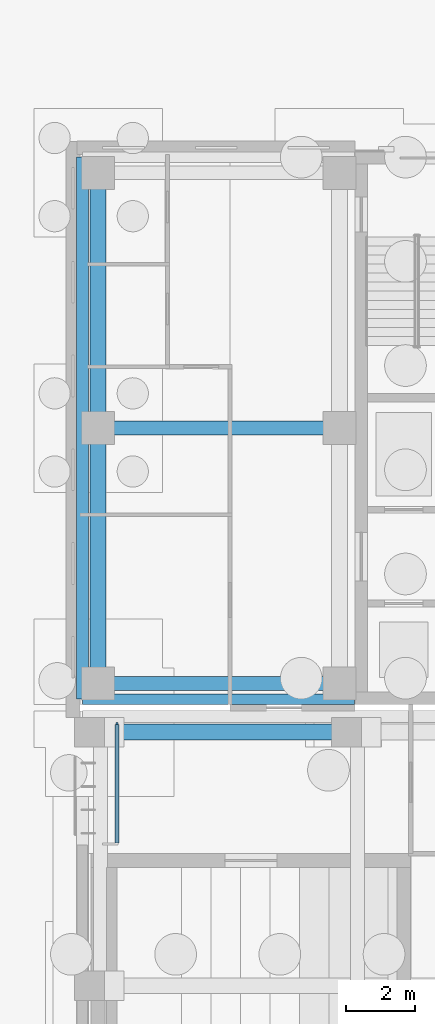
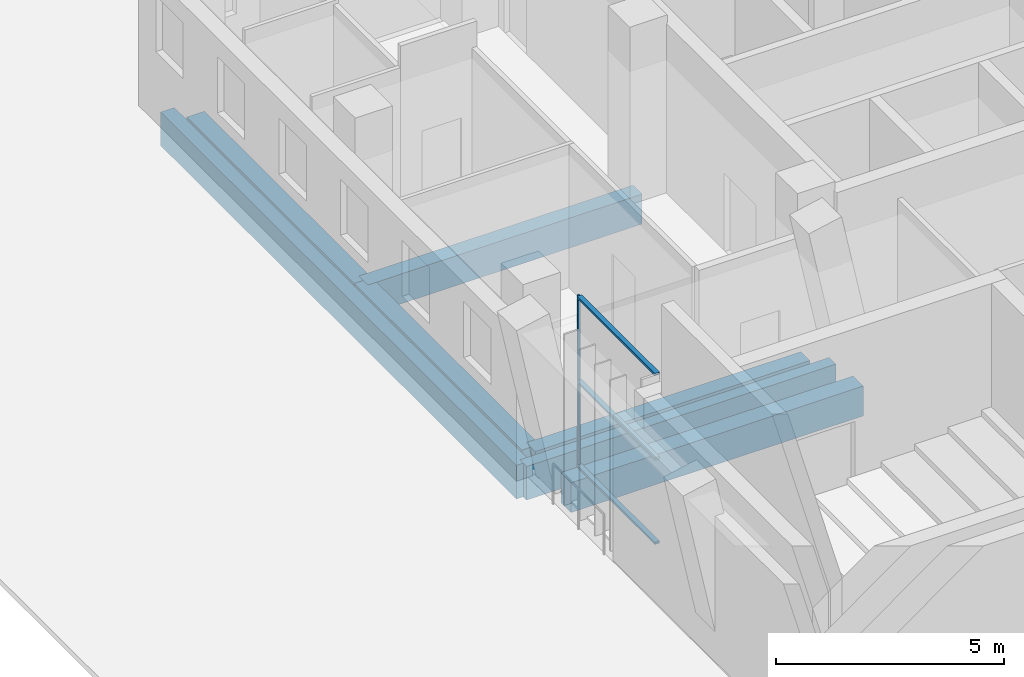
# One storey, part 57 of 144: 7 beams, 4 members, 1 element without a shape of its own.
"""IFC4 building model written with IfcOpenShell, lengths in metres."""

from ifc_helpers import new_model, si_unit, direction, frame, origin, origin_2d, place, context, subcontext, project, spatial, rectangle, extrude, material, material_profile, profile_set, type_object, element, aggregate, save


model = new_model("IFC4")

# Units and contexts
model_context = context("Model", 3, precision=1e-05, world=origin(), true_north=direction((0.0, 1.0)))
body_context = subcontext(model_context, "Body", "Model", "MODEL_VIEW")
ifc_project = project(units=[si_unit("LENGTHUNIT", "METRE"), si_unit("AREAUNIT", "SQUARE_METRE"), si_unit("VOLUMEUNIT", "CUBIC_METRE"), si_unit("PLANEANGLEUNIT", "RADIAN"), si_unit("MASSUNIT", "GRAM", prefix="KILO")], contexts=[model_context])

# Site, building, storey
site_placement = place(None, origin())
site = spatial("IfcSite", under=ifc_project, at=site_placement, CompositionType="ELEMENT")
building_placement = place(site_placement, origin())
building = spatial("IfcBuilding", under=site, at=building_placement, Name="Lantern Court Media Centre", CompositionType="ELEMENT")
storey_placement = place(building_placement, origin())
storey = spatial("IfcBuildingStorey", under=building, at=storey_placement, Name="L00", CompositionType="ELEMENT", Elevation=0.0)

# Curtain wall, members
ifc_material_1 = material(Name="Curtain wall bay 3000")
curtain_wall_type = type_object("IfcCurtainWallType", Name="Curtain wall bay 3000", PredefinedType="NOTDEFINED", material=ifc_material_1)
curtain_wall_placement = place(storey_placement, origin())
curtain_wall = element("IfcCurtainWall", 1, at=curtain_wall_placement, inside=storey, type_object=curtain_wall_type, Name="Curtain wall W outer L00", PredefinedType="NOTDEFINED")
ifc_material_2 = material(Name="Anodised aluminium", Category="aluminium")
ifc_material_profile_1 = material_profile(ifc_material_2, rectangle(XDim=0.06005859375, YDim=0.06005859375, at=origin_2d()), Name="AL 60x60")
ifc_profile_set_1 = profile_set([ifc_material_profile_1], Name="Anodised aluminium")
member_type_1 = type_object("IfcMemberType", Name="Curtain wall mullion 60x60", PredefinedType="MULLION", material=ifc_profile_set_1)
member_1_placement = place(storey_placement, frame((9.14990234375, 95.550048828125, 0.0), z_axis=(0.0, 0.0, 1.0), x_axis=(-1.0, 0.0, 0.0)))
member_1 = element("IfcMember", 2, at=member_1_placement, type_object=member_type_1, Name="CW1 mullion 2", PredefinedType="MULLION", context=body_context, shape_type="SweptSolid", body=[
    extrude(rectangle(XDim=0.06005859375, YDim=0.06005859375, at=origin_2d()), origin(), (0.0, 0.0, 1.0), 4.580078125),
])
ifc_material_profile_2 = material_profile(ifc_material_2, rectangle(XDim=0.1201171875, YDim=0.06005859375, at=origin_2d()), Name="AL 60x120")
ifc_profile_set_2 = profile_set([ifc_material_profile_2], Name="Anodised aluminium")
member_type_2 = type_object("IfcMemberType", Name="Curtain wall transom 60x120", PredefinedType="USERDEFINED", material=ifc_profile_set_2)
member_2_placement = place(storey_placement, frame((9.14990234375, 92.110107421875, 0.030029296875), z_axis=(0.0, 1.0, 0.0), x_axis=(-1.0, 0.0, 0.0)))
member_2 = element("IfcMember", 3, at=member_2_placement, type_object=member_type_2, Name="CW1 transom 1.1", ObjectType="TRANSOM", PredefinedType="USERDEFINED", context=body_context, shape_type="SweptSolid", body=[
    extrude(rectangle(XDim=0.1201171875, YDim=0.06005859375, at=origin_2d()), origin(), (0.0, 0.0, 1.0), 3.409912109375),
])
member_3_placement = place(storey_placement, frame((9.14990234375, 92.110107421875, 2.2900390625), z_axis=(0.0, 1.0, 0.0), x_axis=(-1.0, 0.0, 0.0)))
member_3 = element("IfcMember", 4, at=member_3_placement, type_object=member_type_2, Name="CW1 transom 1.2", ObjectType="TRANSOM", PredefinedType="USERDEFINED", context=body_context, shape_type="SweptSolid", body=[
    extrude(rectangle(XDim=0.1201171875, YDim=0.06005859375, at=origin_2d()), origin(), (0.0, 0.0, 1.0), 3.409912109375),
])
member_4_placement = place(storey_placement, frame((9.14990234375, 92.110107421875, 4.550048828125), z_axis=(0.0, 1.0, 0.0), x_axis=(-1.0, 0.0, 0.0)))
member_4 = element("IfcMember", 5, at=member_4_placement, type_object=member_type_2, Name="CW1 transom 1.3", ObjectType="TRANSOM", PredefinedType="USERDEFINED", context=body_context, shape_type="SweptSolid", body=[
    extrude(rectangle(XDim=0.1201171875, YDim=0.06005859375, at=origin_2d()), origin(), (0.0, 0.0, 1.0), 3.409912109375),
])
aggregate(curtain_wall, [member_1, member_2, member_3, member_4])

# Beams
ifc_material_3 = material(Name="Concrete C35", Category="concrete")
ifc_material_profile_3 = material_profile(ifc_material_3, rectangle(XDim=0.300048828125, YDim=0.89990234375, at=origin_2d()), Name="RC 300x900")
ifc_profile_set_3 = profile_set([ifc_material_profile_3], Name="Concrete C35")
beam_type_1 = type_object("IfcBeamType", Name="RC BEAM 300x900", PredefinedType="BEAM", material=ifc_profile_set_3)
beam_1_placement = place(storey_placement, frame((8.14990234375, 96.25, -0.449951171875), z_axis=(1.0, 0.0, 0.0), x_axis=(0.0, 1.0, 0.0)))
element("IfcBeam", 6, at=beam_1_placement, inside=storey, type_object=beam_type_1, Name="EB-NW-L00-S", PredefinedType="BEAM", context=body_context, shape_type="SweptSolid", body=[
    extrude(rectangle(XDim=0.300048828125, YDim=0.89990234375, at=origin_2d()), origin(), (0.0, 0.0, 1.0), 7.830078125),
])
ifc_material_profile_4 = material_profile(ifc_material_3, rectangle(XDim=0.35009765625, YDim=0.89990234375, at=origin_2d()), Name="RC 350x900")
ifc_profile_set_4 = profile_set([ifc_material_profile_4], Name="Concrete C35")
beam_type_2 = type_object("IfcBeamType", Name="RC BEAM 350x900", PredefinedType="BEAM", material=ifc_profile_set_4)
beam_2_placement = place(storey_placement, frame((8.14990234375, 96.25, -0.449951171875), z_axis=(0.0, 1.0, 0.0), x_axis=(-1.0, 0.0, 0.0)))
element("IfcBeam", 7, at=beam_2_placement, inside=storey, type_object=beam_type_2, Name="EB-NW-L00-W", PredefinedType="BEAM", context=body_context, shape_type="SweptSolid", body=[
    extrude(rectangle(XDim=0.35009765625, YDim=0.89990234375, at=origin_2d()), origin(), (0.0, 0.0, 1.0), 15.60009765625),
])
ifc_material_profile_5 = material_profile(ifc_material_3, rectangle(XDim=0.39990234375, YDim=0.800048828125, at=origin_2d()), Name="RC 400x800")
ifc_profile_set_5 = profile_set([ifc_material_profile_5], Name="Concrete C35")
beam_type_3 = type_object("IfcBeamType", Name="RC BEAM 400x800", PredefinedType="BEAM", material=ifc_profile_set_5)
for number, where, z_axis, x_axis, name in (
    (8, (8.60009765625, 96.699951171875, -0.39990234375), (1.0, 0.0, 0.0), (0.0, 1.0, 0.0), "BB-NW-L00-Y0-96"),
    (9, (8.60009765625, 104.050048828125, -0.39990234375), (1.0, 0.0, 0.0), (0.0, 1.0, 0.0), "BB-NW-L00-Y0-104"),
):
    element("IfcBeam", number, at=place(storey_placement, frame(where, z_axis=z_axis, x_axis=x_axis)), inside=storey, type_object=beam_type_3, Name=name, PredefinedType="BEAM", context=body_context, shape_type="SweptSolid", body=[
        extrude(rectangle(XDim=0.39990234375, YDim=0.800048828125, at=origin_2d()), origin(), (0.0, 0.0, 1.0), 6.949951171875),
    ])
ifc_material_profile_6 = material_profile(ifc_material_3, rectangle(XDim=0.449951171875, YDim=0.800048828125, at=origin_2d()), Name="RC 450x800")
ifc_profile_set_6 = profile_set([ifc_material_profile_6], Name="Concrete C35")
beam_type_4 = type_object("IfcBeamType", Name="RC BEAM 450x800", PredefinedType="BEAM", material=ifc_profile_set_6)
beam_3_placement = place(storey_placement, frame((8.60009765625, 96.699951171875, -0.39990234375), z_axis=(0.0, 1.0, 0.0), x_axis=(-1.0, 0.0, 0.0)))
element("IfcBeam", 10, at=beam_3_placement, inside=storey, type_object=beam_type_4, Name="BB-NW-L00-X0-8", PredefinedType="BEAM", context=body_context, shape_type="SweptSolid", body=[
    extrude(rectangle(XDim=0.449951171875, YDim=0.800048828125, at=origin_2d()), origin(), (0.0, 0.0, 1.0), 7.35009765625),
])
beam_4_placement = place(storey_placement, frame((8.60009765625, 104.050048828125, -0.39990234375), z_axis=(0.0, 1.0, 0.0), x_axis=(-1.0, 0.0, 0.0)))
element("IfcBeam", 11, at=beam_4_placement, inside=storey, type_object=beam_type_4, Name="BB-NW-L00-X1-8", PredefinedType="BEAM", context=body_context, shape_type="SweptSolid", body=[
    extrude(rectangle(XDim=0.449951171875, YDim=0.800048828125, at=origin_2d()), origin(), (0.0, 0.0, 1.0), 7.349853515625),
])
beam_5_placement = place(storey_placement, frame((8.683349609375, 95.300048828125, -0.39990234375), z_axis=(1.0, 0.0, 0.0), x_axis=(0.0, 1.0, 0.0)))
element("IfcBeam", 12, at=beam_5_placement, inside=storey, type_object=beam_type_4, Name="TB-W-L00-4-1", PredefinedType="BEAM", context=body_context, shape_type="SweptSolid", body=[
    extrude(rectangle(XDim=0.449951171875, YDim=0.800048828125, at=origin_2d()), origin(), (0.0, 0.0, 1.0), 7.39990234375),
])

save(model, "model.ifc")
